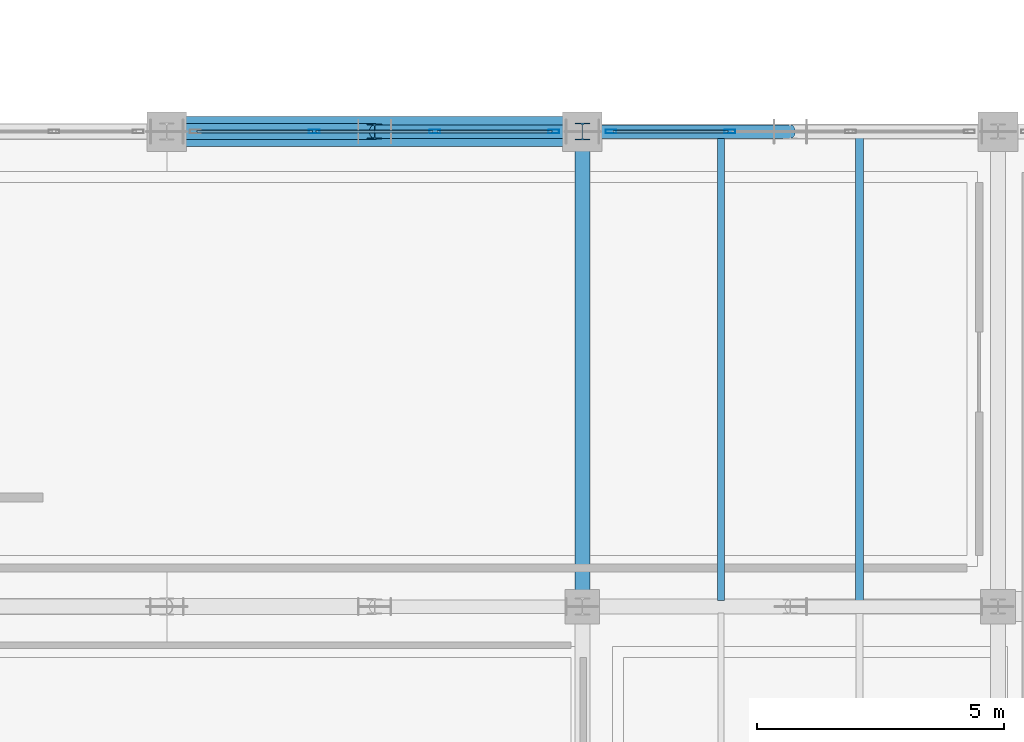
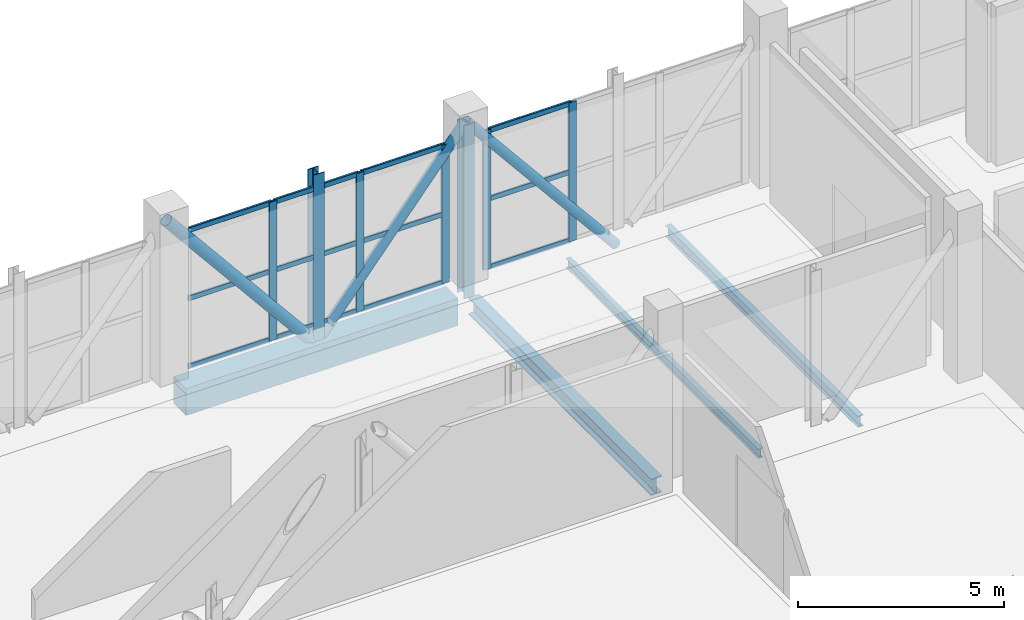
# One storey, part 16 of 77: 22 members, 4 beams, 2 elements without a shape of their own.
"""IFC4 building model written with IfcOpenShell, lengths in metres."""

from ifc_helpers import new_model, si_unit, direction, frame, origin, origin_2d, place, context, subcontext, project, spatial, rectangle, hollow_rectangle, hollow_circle, i_section, extrude, material, layer, layer_set, material_profile, profile_set, type_object, element, aggregate, save


model = new_model("IFC4")

# Units and contexts
model_context = context("Model", 3, precision=1e-05, world=origin(), true_north=direction((0.0, 1.0)))
body_context = subcontext(model_context, "Body", "Model", "MODEL_VIEW")
ifc_project = project(units=[si_unit("LENGTHUNIT", "METRE"), si_unit("AREAUNIT", "SQUARE_METRE"), si_unit("VOLUMEUNIT", "CUBIC_METRE"), si_unit("PLANEANGLEUNIT", "RADIAN"), si_unit("MASSUNIT", "GRAM", prefix="KILO")], contexts=[model_context])

# Site, building, storey
site_placement = place(None, origin())
site = spatial("IfcSite", under=ifc_project, at=site_placement, CompositionType="ELEMENT")
building_placement = place(site_placement, origin())
building = spatial("IfcBuilding", under=site, at=building_placement, Name="Zulmaris Art Gallery", CompositionType="ELEMENT")
storey_placement = place(building_placement, frame((0.0, 0.0, 15.60009765625)))
storey = spatial("IfcBuildingStorey", under=building, at=storey_placement, Name="L03", CompositionType="ELEMENT", Elevation=15.60009765625)

# Beams
ifc_material_1 = material(Name="Steel S355J2", Category="steel")
ifc_material_profile_1 = material_profile(ifc_material_1, i_section(OverallWidth=0.300048828125, OverallDepth=0.489990234375, WebThickness=0.011962890625, FlangeThickness=0.02294921875, FilletRadius=0.027099609375, at=origin_2d()), Name="HEA 500")
ifc_profile_set_1 = profile_set([ifc_material_profile_1], Name="Steel S355J2")
beam_type_1 = type_object("IfcBeamType", Name="BEAM-BM11", PredefinedType="BEAM", material=ifc_profile_set_1)
beam_1_placement = place(storey_placement, frame((32.39990234375, 41.135009765625, -0.614990234375), z_axis=(0.0, 1.0, 0.0), x_axis=(-1.0, 0.0, 0.0)))
element("IfcBeam", 1, at=beam_1_placement, inside=storey, type_object=beam_type_1, Name="L03 Y-girder (x=32.4, 40.8..50.4)", PredefinedType="BEAM", context=body_context, shape_type="SweptSolid", body=[
    extrude(i_section(OverallWidth=0.300048828125, OverallDepth=0.489990234375, WebThickness=0.011962890625, FlangeThickness=0.02294921875, FilletRadius=0.027099609375, at=origin_2d()), origin(), (0.0, 0.0, 1.0), 8.8798828125),
])
ifc_material_2 = material(Name="Concrete C40/50", Category="concrete")
ifc_material_profile_2 = material_profile(ifc_material_2, rectangle(XDim=0.60009765625, YDim=0.800048828125, at=origin_2d()), Name="RC 600x800")
ifc_profile_set_2 = profile_set([ifc_material_profile_2], Name="Concrete C40/50")
beam_type_2 = type_object("IfcBeamType", Name="BEAM-BM27", PredefinedType="BEAM", material=ifc_profile_set_2)
beam_2_placement = place(storey_placement, frame((24.385009765625, 50.39990234375, -0.77001953125), z_axis=(1.0, 0.0, 0.0), x_axis=(0.0, 1.0, 0.0)))
element("IfcBeam", 2, at=beam_2_placement, inside=storey, type_object=beam_type_2, Name="L03 X-girder (24.0..32.4, y=50.4)", PredefinedType="BEAM", context=body_context, shape_type="SweptSolid", body=[
    extrude(rectangle(XDim=0.60009765625, YDim=0.800048828125, at=origin_2d()), origin(), (0.0, 0.0, 1.0), 7.6298828125),
])
ifc_material_profile_3 = material_profile(ifc_material_1, i_section(OverallWidth=0.135009765625, OverallDepth=0.27001953125, WebThickness=0.006591796875, FlangeThickness=0.01025390625, FilletRadius=0.014892578125, at=origin_2d()), Name="IPE 270")
ifc_profile_set_3 = profile_set([ifc_material_profile_3], Name="Steel S355J2")
beam_type_3 = type_object("IfcBeamType", Name="BEAM-JS02", PredefinedType="JOIST", material=ifc_profile_set_3)
beam_3_placement = place(storey_placement, frame((35.199951171875, 40.925048828125, -0.505126953125), z_axis=(0.0, 1.0, 0.0), x_axis=(-1.0, 0.0, 0.0)))
element("IfcBeam", 3, at=beam_3_placement, inside=storey, type_object=beam_type_3, Name="L03 secondary joist at x=35.2", PredefinedType="JOIST", context=body_context, shape_type="SweptSolid", body=[
    extrude(i_section(OverallWidth=0.135009765625, OverallDepth=0.27001953125, WebThickness=0.006591796875, FlangeThickness=0.01025390625, FilletRadius=0.014892578125, at=origin_2d()), origin(), (0.0, 0.0, 1.0), 9.349853515625),
])
ifc_material_profile_4 = material_profile(ifc_material_1, i_section(OverallWidth=0.159912109375, OverallDepth=0.330078125, WebThickness=0.007568359375, FlangeThickness=0.011474609375, FilletRadius=0.01806640625, at=origin_2d()), Name="IPE 330")
ifc_profile_set_4 = profile_set([ifc_material_profile_4], Name="Steel S355J2")
beam_type_4 = type_object("IfcBeamType", Name="BEAM-JS03", PredefinedType="JOIST", material=ifc_profile_set_4)
beam_4_placement = place(storey_placement, frame((38.0, 40.925048828125, -0.53515625), z_axis=(0.0, 1.0, 0.0), x_axis=(-1.0, 0.0, 0.0)))
element("IfcBeam", 4, at=beam_4_placement, inside=storey, type_object=beam_type_4, Name="L03 secondary joist at x=38.0", PredefinedType="JOIST", context=body_context, shape_type="SweptSolid", body=[
    extrude(i_section(OverallWidth=0.159912109375, OverallDepth=0.330078125, WebThickness=0.007568359375, FlangeThickness=0.011474609375, FilletRadius=0.01806640625, at=origin_2d()), origin(), (0.0, 0.0, 1.0), 9.349853515625),
])

# Curtain wall, members
ifc_material_3 = material(Name="Unitised Low-E Gallery Curtain Wall", Category="aluminium")
ifc_layer = layer(ifc_material_3, 0.179931640625)
ifc_layer_set = layer_set([ifc_layer], Name="Unitised Low-E Gallery Curtain Wall")
curtain_wall_type = type_object("IfcCurtainWallType", Name="CW-CW01", PredefinedType="NOTDEFINED", material=ifc_layer_set)
curtain_wall_1_placement = place(storey_placement, origin())
curtain_wall_1 = element("IfcCurtainWall", 5, at=curtain_wall_1_placement, inside=storey, type_object=curtain_wall_type, Name="L03 curtain wall 6", PredefinedType="NOTDEFINED")
ifc_material_4 = material(Name="Anodised Bronze Aluminium", Category="aluminium")
ifc_material_profile_5 = material_profile(ifc_material_4, hollow_rectangle(XDim=0.074951171875, YDim=0.219970703125, WallThickness=0.0048828125, InnerFilletRadius=0.007568359375, OuterFilletRadius=0.012451171875, at=origin_2d()), Name="ALU 75x220x5")
ifc_profile_set_5 = profile_set([ifc_material_profile_5], Name="Anodised Bronze Aluminium")
member_type_1 = type_object("IfcMemberType", Name="CWMUL-02", PredefinedType="MULLION", material=ifc_profile_set_5)
member_1_placement = place(storey_placement, frame((31.822509765625, 50.39990234375, 0.0), z_axis=(0.0, 0.0, 1.0), x_axis=(0.0, -1.0, 0.0)))
member_1 = element("IfcMember", 6, at=member_1_placement, type_object=member_type_1, Name="CW01 mullion 1", PredefinedType="MULLION", context=body_context, shape_type="SweptSolid", body=[
    extrude(hollow_rectangle(XDim=0.074951171875, YDim=0.219970703125, WallThickness=0.0048828125, InnerFilletRadius=0.007568359375, OuterFilletRadius=0.012451171875, at=origin_2d()), origin(), (0.0, 0.0, 1.0), 4.10986328125),
])
member_2_placement = place(storey_placement, frame((29.419921875, 50.39990234375, 0.0), z_axis=(0.0, 0.0, 1.0), x_axis=(0.0, -1.0, 0.0)))
member_2 = element("IfcMember", 7, at=member_2_placement, type_object=member_type_1, Name="CW01 mullion 2", PredefinedType="MULLION", context=body_context, shape_type="SweptSolid", body=[
    extrude(hollow_rectangle(XDim=0.074951171875, YDim=0.219970703125, WallThickness=0.0048828125, InnerFilletRadius=0.007568359375, OuterFilletRadius=0.012451171875, at=origin_2d()), origin(), (0.0, 0.0, 1.0), 4.10986328125),
])
member_3_placement = place(storey_placement, frame((26.97998046875, 50.39990234375, 0.0), z_axis=(0.0, 0.0, 1.0), x_axis=(0.0, -1.0, 0.0)))
member_3 = element("IfcMember", 8, at=member_3_placement, type_object=member_type_1, Name="CW01 mullion 3", PredefinedType="MULLION", context=body_context, shape_type="SweptSolid", body=[
    extrude(hollow_rectangle(XDim=0.074951171875, YDim=0.219970703125, WallThickness=0.0048828125, InnerFilletRadius=0.007568359375, OuterFilletRadius=0.012451171875, at=origin_2d()), origin(), (0.0, 0.0, 1.0), 4.10986328125),
])

curtain_wall_2_placement = place(storey_placement, origin())
curtain_wall_2 = element("IfcCurtainWall", 9, at=curtain_wall_2_placement, inside=storey, type_object=curtain_wall_type, Name="L03 curtain wall 7", PredefinedType="NOTDEFINED")
member_4_placement = place(storey_placement, frame((35.3798828125, 50.39990234375, 0.0), z_axis=(0.0, 0.0, 1.0), x_axis=(0.0, -1.0, 0.0)))
member_4 = element("IfcMember", 10, at=member_4_placement, type_object=member_type_1, Name="CW01 mullion 3", PredefinedType="MULLION", context=body_context, shape_type="SweptSolid", body=[
    extrude(hollow_rectangle(XDim=0.074951171875, YDim=0.219970703125, WallThickness=0.0048828125, InnerFilletRadius=0.007568359375, OuterFilletRadius=0.012451171875, at=origin_2d()), origin(), (0.0, 0.0, 1.0), 4.119873046875),
])
member_5_placement = place(storey_placement, frame((32.9775390625, 50.39990234375, 0.0), z_axis=(0.0, 0.0, 1.0), x_axis=(0.0, -1.0, 0.0)))
member_5 = element("IfcMember", 11, at=member_5_placement, type_object=member_type_1, Name="CW01 mullion 4", PredefinedType="MULLION", context=body_context, shape_type="SweptSolid", body=[
    extrude(hollow_rectangle(XDim=0.074951171875, YDim=0.219970703125, WallThickness=0.0048828125, InnerFilletRadius=0.007568359375, OuterFilletRadius=0.012451171875, at=origin_2d()), origin(), (0.0, 0.0, 1.0), 4.119873046875),
])

# Member
ifc_material_profile_6 = material_profile(ifc_material_4, hollow_rectangle(XDim=0.06494140625, YDim=0.14990234375, WallThickness=0.00390625, InnerFilletRadius=0.006103515625, OuterFilletRadius=0.010009765625, at=origin_2d()), Name="ALU 65x150x4")
ifc_profile_set_6 = profile_set([ifc_material_profile_6], Name="Anodised Bronze Aluminium")
member_type_2 = type_object("IfcMemberType", Name="CWTRN-01", PredefinedType="USERDEFINED", material=ifc_profile_set_6)
member_6_placement = place(storey_placement, frame((31.784912109375, 50.39990234375, 0.037353515625), z_axis=(-1.0, 0.0, 0.0), x_axis=(0.0, -1.0, 0.0)))
member_6 = element("IfcMember", 12, at=member_6_placement, type_object=member_type_2, Name="CW01 transom 1.1", ObjectType="TRANSOM", PredefinedType="USERDEFINED", context=body_context, shape_type="SweptSolid", body=[
    extrude(hollow_rectangle(XDim=0.06494140625, YDim=0.14990234375, WallThickness=0.00390625, InnerFilletRadius=0.006103515625, OuterFilletRadius=0.010009765625, at=origin_2d()), origin(), (0.0, 0.0, 1.0), 2.327392578125),
])

member_7_placement = place(storey_placement, frame((31.784912109375, 50.39990234375, 2.054931640625), z_axis=(-1.0, 0.0, 0.0), x_axis=(0.0, -1.0, 0.0)))
member_7 = element("IfcMember", 13, at=member_7_placement, type_object=member_type_2, Name="CW01 transom 1.2", ObjectType="TRANSOM", PredefinedType="USERDEFINED", context=body_context, shape_type="SweptSolid", body=[
    extrude(hollow_rectangle(XDim=0.06494140625, YDim=0.14990234375, WallThickness=0.00390625, InnerFilletRadius=0.006103515625, OuterFilletRadius=0.010009765625, at=origin_2d()), origin(), (0.0, 0.0, 1.0), 2.327392578125),
])

member_8_placement = place(storey_placement, frame((31.784912109375, 50.39990234375, 4.072509765625), z_axis=(-1.0, 0.0, 0.0), x_axis=(0.0, -1.0, 0.0)))
member_8 = element("IfcMember", 14, at=member_8_placement, type_object=member_type_2, Name="CW01 transom 1.3", ObjectType="TRANSOM", PredefinedType="USERDEFINED", context=body_context, shape_type="SweptSolid", body=[
    extrude(hollow_rectangle(XDim=0.06494140625, YDim=0.14990234375, WallThickness=0.00390625, InnerFilletRadius=0.006103515625, OuterFilletRadius=0.010009765625, at=origin_2d()), origin(), (0.0, 0.0, 1.0), 2.327392578125),
])

member_9_placement = place(storey_placement, frame((29.382568359375, 50.39990234375, 0.037353515625), z_axis=(-1.0, 0.0, 0.0), x_axis=(0.0, -1.0, 0.0)))
member_9 = element("IfcMember", 15, at=member_9_placement, type_object=member_type_2, Name="CW01 transom 2.1", ObjectType="TRANSOM", PredefinedType="USERDEFINED", context=body_context, shape_type="SweptSolid", body=[
    extrude(hollow_rectangle(XDim=0.06494140625, YDim=0.14990234375, WallThickness=0.00390625, InnerFilletRadius=0.006103515625, OuterFilletRadius=0.010009765625, at=origin_2d()), origin(), (0.0, 0.0, 1.0), 2.364990234375),
])

member_10_placement = place(storey_placement, frame((29.382568359375, 50.39990234375, 2.054931640625), z_axis=(-1.0, 0.0, 0.0), x_axis=(0.0, -1.0, 0.0)))
member_10 = element("IfcMember", 16, at=member_10_placement, type_object=member_type_2, Name="CW01 transom 2.2", ObjectType="TRANSOM", PredefinedType="USERDEFINED", context=body_context, shape_type="SweptSolid", body=[
    extrude(hollow_rectangle(XDim=0.06494140625, YDim=0.14990234375, WallThickness=0.00390625, InnerFilletRadius=0.006103515625, OuterFilletRadius=0.010009765625, at=origin_2d()), origin(), (0.0, 0.0, 1.0), 2.364990234375),
])

member_11_placement = place(storey_placement, frame((29.382568359375, 50.39990234375, 4.072509765625), z_axis=(-1.0, 0.0, 0.0), x_axis=(0.0, -1.0, 0.0)))
member_11 = element("IfcMember", 17, at=member_11_placement, type_object=member_type_2, Name="CW01 transom 2.3", ObjectType="TRANSOM", PredefinedType="USERDEFINED", context=body_context, shape_type="SweptSolid", body=[
    extrude(hollow_rectangle(XDim=0.06494140625, YDim=0.14990234375, WallThickness=0.00390625, InnerFilletRadius=0.006103515625, OuterFilletRadius=0.010009765625, at=origin_2d()), origin(), (0.0, 0.0, 1.0), 2.364990234375),
])

member_12_placement = place(storey_placement, frame((26.9423828125, 50.39990234375, 0.037353515625), z_axis=(-1.0, 0.0, 0.0), x_axis=(0.0, -1.0, 0.0)))
member_12 = element("IfcMember", 18, at=member_12_placement, type_object=member_type_2, Name="CW01 transom 3.1", ObjectType="TRANSOM", PredefinedType="USERDEFINED", context=body_context, shape_type="SweptSolid", body=[
    extrude(hollow_rectangle(XDim=0.06494140625, YDim=0.14990234375, WallThickness=0.00390625, InnerFilletRadius=0.006103515625, OuterFilletRadius=0.010009765625, at=origin_2d()), origin(), (0.0, 0.0, 1.0), 2.327392578125),
])

member_13_placement = place(storey_placement, frame((26.9423828125, 50.39990234375, 2.054931640625), z_axis=(-1.0, 0.0, 0.0), x_axis=(0.0, -1.0, 0.0)))
member_13 = element("IfcMember", 19, at=member_13_placement, type_object=member_type_2, Name="CW01 transom 3.2", ObjectType="TRANSOM", PredefinedType="USERDEFINED", context=body_context, shape_type="SweptSolid", body=[
    extrude(hollow_rectangle(XDim=0.06494140625, YDim=0.14990234375, WallThickness=0.00390625, InnerFilletRadius=0.006103515625, OuterFilletRadius=0.010009765625, at=origin_2d()), origin(), (0.0, 0.0, 1.0), 2.327392578125),
])

member_14_placement = place(storey_placement, frame((26.9423828125, 50.39990234375, 4.072509765625), z_axis=(-1.0, 0.0, 0.0), x_axis=(0.0, -1.0, 0.0)))
member_14 = element("IfcMember", 20, at=member_14_placement, type_object=member_type_2, Name="CW01 transom 3.3", ObjectType="TRANSOM", PredefinedType="USERDEFINED", context=body_context, shape_type="SweptSolid", body=[
    extrude(hollow_rectangle(XDim=0.06494140625, YDim=0.14990234375, WallThickness=0.00390625, InnerFilletRadius=0.006103515625, OuterFilletRadius=0.010009765625, at=origin_2d()), origin(), (0.0, 0.0, 1.0), 2.327392578125),
])

aggregate(curtain_wall_1, [member_1, member_2, member_3, member_6, member_7, member_8, member_9, member_10, member_11, member_12, member_13, member_14])

member_15_placement = place(storey_placement, frame((35.342529296875, 50.39990234375, 0.037353515625), z_axis=(-1.0, 0.0, 0.0), x_axis=(0.0, -1.0, 0.0)))
member_15 = element("IfcMember", 21, at=member_15_placement, type_object=member_type_2, Name="CW01 transom 3.1", ObjectType="TRANSOM", PredefinedType="USERDEFINED", context=body_context, shape_type="SweptSolid", body=[
    extrude(hollow_rectangle(XDim=0.06494140625, YDim=0.14990234375, WallThickness=0.00390625, InnerFilletRadius=0.006103515625, OuterFilletRadius=0.010009765625, at=origin_2d()), origin(), (0.0, 0.0, 1.0), 2.32763671875),
])

member_16_placement = place(storey_placement, frame((35.342529296875, 50.39990234375, 2.059814453125), z_axis=(-1.0, 0.0, 0.0), x_axis=(0.0, -1.0, 0.0)))
member_16 = element("IfcMember", 22, at=member_16_placement, type_object=member_type_2, Name="CW01 transom 3.2", ObjectType="TRANSOM", PredefinedType="USERDEFINED", context=body_context, shape_type="SweptSolid", body=[
    extrude(hollow_rectangle(XDim=0.06494140625, YDim=0.14990234375, WallThickness=0.00390625, InnerFilletRadius=0.006103515625, OuterFilletRadius=0.010009765625, at=origin_2d()), origin(), (0.0, 0.0, 1.0), 2.32763671875),
])

member_17_placement = place(storey_placement, frame((35.342529296875, 50.39990234375, 4.08251953125), z_axis=(-1.0, 0.0, 0.0), x_axis=(0.0, -1.0, 0.0)))
member_17 = element("IfcMember", 23, at=member_17_placement, type_object=member_type_2, Name="CW01 transom 3.3", ObjectType="TRANSOM", PredefinedType="USERDEFINED", context=body_context, shape_type="SweptSolid", body=[
    extrude(hollow_rectangle(XDim=0.06494140625, YDim=0.14990234375, WallThickness=0.00390625, InnerFilletRadius=0.006103515625, OuterFilletRadius=0.010009765625, at=origin_2d()), origin(), (0.0, 0.0, 1.0), 2.32763671875),
])

aggregate(curtain_wall_2, [member_4, member_5, member_15, member_16, member_17])

# Members
ifc_material_5 = material(Name="Steel S355J2H", Category="steel")
ifc_material_profile_7 = material_profile(ifc_material_5, hollow_circle(Radius=0.136474609375, WallThickness=0.012451171875, at=origin_2d()), Name="CHS 273x12.5")
ifc_profile_set_7 = profile_set([ifc_material_profile_7], Name="Steel S355J2H")
member_type_3 = type_object("IfcMemberType", Name="MEM-TB03", PredefinedType="BRACE", material=ifc_profile_set_7)
member_18_placement = place(storey_placement, frame((28.199951171875, 50.39990234375, -0.5361328125), z_axis=(0.634319436883, 0.0, 0.773071052357), x_axis=(0.0, 1.0, 0.0)))
element("IfcMember", 24, at=member_18_placement, inside=storey, type_object=member_type_3, Name="Cantilever truss TR-C4 diagonal 5", PredefinedType="BRACE", context=body_context, shape_type="SweptSolid", body=[
    extrude(hollow_circle(Radius=0.136474609375, WallThickness=0.012451171875, at=origin_2d()), origin(), (0.0, 0.0, 1.0), 6.62109375),
])
member_19_placement = place(storey_placement, frame((32.39990234375, 50.39990234375, 4.58251953125), z_axis=(0.634341472612, 0.0, -0.773052971099), x_axis=(0.0, 1.0, 0.0)))
element("IfcMember", 25, at=member_19_placement, inside=storey, type_object=member_type_3, Name="Cantilever truss TR-C4 diagonal 6", PredefinedType="BRACE", context=body_context, shape_type="SweptSolid", body=[
    extrude(hollow_circle(Radius=0.136474609375, WallThickness=0.012451171875, at=origin_2d()), origin(), (0.0, 0.0, 1.0), 6.621337890625),
])
ifc_material_profile_8 = material_profile(ifc_material_5, hollow_circle(Radius=0.161865234375, WallThickness=0.01611328125, at=origin_2d()), Name="CHS 323.9x16")
ifc_profile_set_8 = profile_set([ifc_material_profile_8], Name="Steel S355J2H")
member_type_4 = type_object("IfcMemberType", Name="MEM-TB04", PredefinedType="BRACE", material=ifc_profile_set_8)
member_20_placement = place(storey_placement, frame((24.0, 50.39990234375, 4.58251953125), z_axis=(0.634319436883, 0.0, -0.773071052357), x_axis=(0.0, 1.0, 0.0)))
element("IfcMember", 26, at=member_20_placement, inside=storey, type_object=member_type_4, Name="Cantilever truss TR-C4 diagonal 4", PredefinedType="BRACE", context=body_context, shape_type="SweptSolid", body=[
    extrude(hollow_circle(Radius=0.161865234375, WallThickness=0.01611328125, at=origin_2d()), origin(), (0.0, 0.0, 1.0), 6.62109375),
])
ifc_material_profile_9 = material_profile(ifc_material_1, i_section(OverallWidth=0.300048828125, OverallDepth=0.300048828125, WebThickness=0.010986328125, FlangeThickness=0.01904296875, FilletRadius=0.027099609375, at=origin_2d()), Name="HEB 300")
ifc_profile_set_9 = profile_set([ifc_material_profile_9], Name="Steel S355J2")
member_type_5 = type_object("IfcMemberType", Name="MEM-TP03", PredefinedType="POST", material=ifc_profile_set_9)
member_21_placement = place(storey_placement, frame((28.199951171875, 50.39990234375, -0.5361328125), z_axis=(0.0, 0.0, 1.0), x_axis=(1.0, 0.0, 0.0)))
element("IfcMember", 27, at=member_21_placement, inside=storey, type_object=member_type_5, Name="Cantilever truss TR-C4 post 5", PredefinedType="POST", context=body_context, shape_type="SweptSolid", body=[
    extrude(i_section(OverallWidth=0.300048828125, OverallDepth=0.300048828125, WebThickness=0.010986328125, FlangeThickness=0.01904296875, FilletRadius=0.027099609375, at=origin_2d()), origin(), (0.0, 0.0, 1.0), 5.11865234375),
])
ifc_material_profile_10 = material_profile(ifc_material_1, i_section(OverallWidth=0.300048828125, OverallDepth=0.340087890625, WebThickness=0.011962890625, FlangeThickness=0.021484375, FilletRadius=0.027099609375, at=origin_2d()), Name="HEB 340")
ifc_profile_set_10 = profile_set([ifc_material_profile_10], Name="Steel S355J2")
member_type_6 = type_object("IfcMemberType", Name="MEM-TP04", PredefinedType="POST", material=ifc_profile_set_10)
member_22_placement = place(storey_placement, frame((32.39990234375, 50.39990234375, -0.550048828125), z_axis=(0.0, 0.0, 1.0), x_axis=(1.0, 0.0, 0.0)))
element("IfcMember", 28, at=member_22_placement, inside=storey, type_object=member_type_6, Name="Cantilever truss TR-C4 post 6", PredefinedType="POST", context=body_context, shape_type="SweptSolid", body=[
    extrude(i_section(OverallWidth=0.300048828125, OverallDepth=0.340087890625, WebThickness=0.011962890625, FlangeThickness=0.021484375, FilletRadius=0.027099609375, at=origin_2d()), origin(), (0.0, 0.0, 1.0), 5.132568359375),
])

save(model, "model.ifc")
